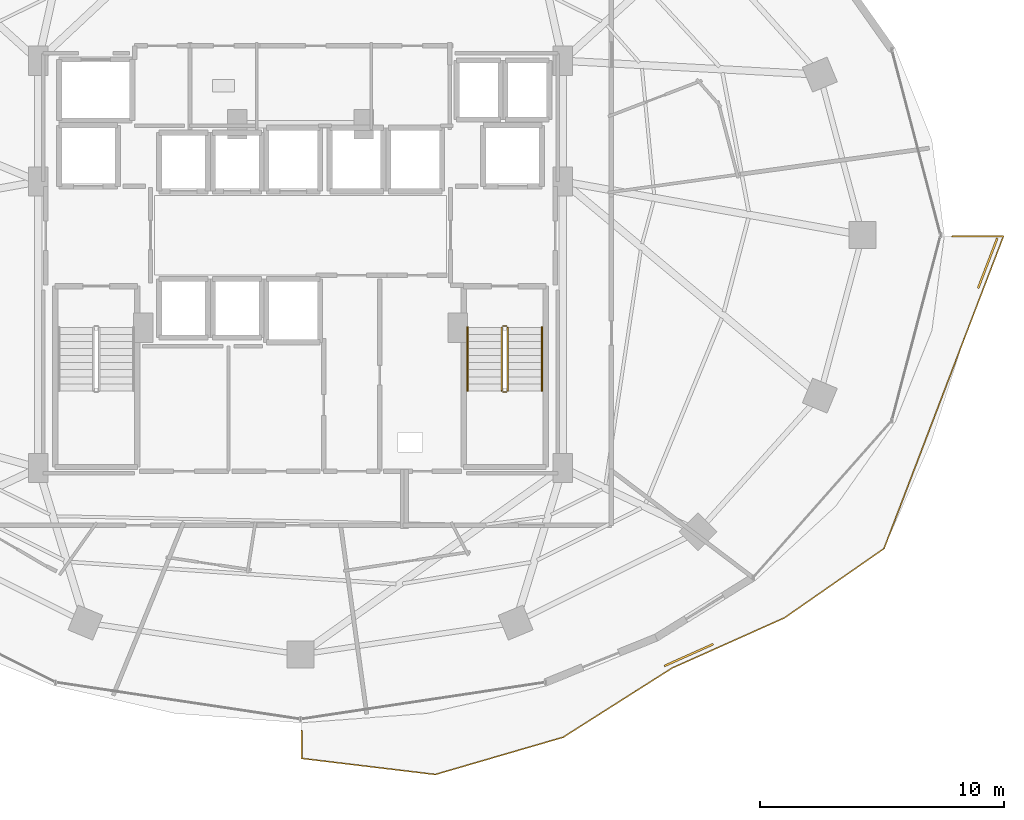
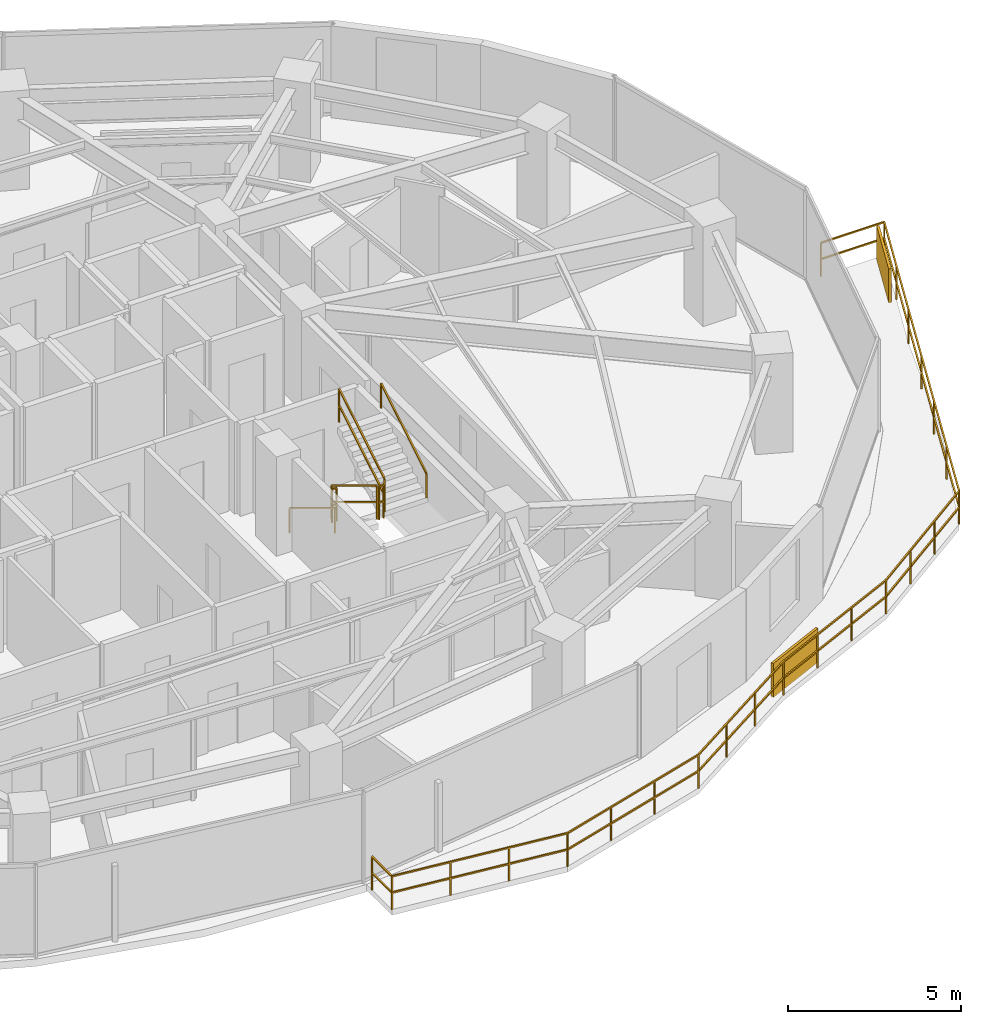
# One storey, part 28 of 30: 8 railings, 2 shading devices.
"""IFC4 building model written with IfcOpenShell, lengths in metres."""

from ifc_helpers import new_model, si_unit, direction, frame, origin, origin_2d, place, context, subcontext, project, spatial, rectangle, extrude, material, type_object, element, save


model = new_model("IFC4")

# Units and contexts
model_context = context("Model", 3, precision=1e-05, world=origin(), true_north=direction((0.0, 1.0)))
body_context = subcontext(model_context, "Body", "Model", "MODEL_VIEW")
ifc_project = project(units=[si_unit("LENGTHUNIT", "METRE"), si_unit("AREAUNIT", "SQUARE_METRE"), si_unit("VOLUMEUNIT", "CUBIC_METRE"), si_unit("PLANEANGLEUNIT", "RADIAN"), si_unit("MASSUNIT", "GRAM", prefix="KILO")], contexts=[model_context])

# Site, building, storey
site_placement = place(None, origin())
site = spatial("IfcSite", under=ifc_project, at=site_placement, CompositionType="ELEMENT")
building_placement = place(site_placement, origin())
building = spatial("IfcBuilding", under=site, at=building_placement, Name="Vorneva Point Tower", CompositionType="ELEMENT")
storey_placement = place(building_placement, frame((0.0, 0.0, 89.300048828125)))
storey = spatial("IfcBuildingStorey", under=building, at=storey_placement, Name="L23", CompositionType="ELEMENT", Elevation=89.300048828125)

# Railings
ifc_material_1 = material(Name="Pale anodised aluminium", Category="aluminium")
railing_type_1 = type_object("IfcRailingType", Name="RL-BAL-1200", PredefinedType="BALUSTRADE", material=ifc_material_1)
railing_1_placement = place(storey_placement, frame((65.2158203125, 21.750732421875, 0.0)))
element("IfcRailing", 1, at=railing_1_placement, inside=storey, type_object=railing_type_1, Name="L23 Wave Balcony Balustrade SE.1", PredefinedType="BALUSTRADE", context=body_context, shape_type="SweptSolid", body=[
    extrude(rectangle(XDim=0.048095703125, YDim=0.048095703125, at=origin_2d()), frame((0.0, 0.0, 1.17578125), z_axis=(0.357967565913, 0.933734020883, 0.0), x_axis=(-0.933734020883, 0.357967565913, 0.0)), (0.0, 0.0, 1.0), 4.497314453125),
    extrude(rectangle(XDim=0.048095703125, YDim=0.048095703125, at=origin_2d()), frame((0.0, 0.0, 0.60009765625), z_axis=(0.357967565913, 0.933734020883, 0.0), x_axis=(-0.933734020883, 0.357967565913, 0.0)), (0.0, 0.0, 1.0), 4.497314453125),
    extrude(rectangle(XDim=0.048095703125, YDim=0.048095703125, at=origin_2d()), frame((1.60986328125, 4.19921875, 1.17578125), z_axis=(-1.0, 0.0, 0.0), x_axis=(0.0, -1.0, 0.0)), (0.0, 0.0, 1.0), 2.109375),
    extrude(rectangle(XDim=0.048095703125, YDim=0.048095703125, at=origin_2d()), frame((1.60986328125, 4.19921875, 0.60009765625), z_axis=(-1.0, 0.0, 0.0), x_axis=(0.0, -1.0, 0.0)), (0.0, 0.0, 1.0), 2.109375),
    extrude(rectangle(XDim=0.0419921875, YDim=0.0419921875, at=origin_2d()), origin(), (0.0, 0.0, 1.0), 1.15185546875),
    extrude(rectangle(XDim=0.0419921875, YDim=0.0419921875, at=origin_2d()), frame((0.804931640625, 2.099609375, 0.0)), (0.0, 0.0, 1.0), 1.15185546875),
    extrude(rectangle(XDim=0.0419921875, YDim=0.0419921875, at=origin_2d()), frame((1.60986328125, 4.19921875, 0.0)), (0.0, 0.0, 1.0), 1.15185546875),
    extrude(rectangle(XDim=0.0419921875, YDim=0.0419921875, at=origin_2d()), frame((-0.49951171875, 4.19921875, 0.0)), (0.0, 0.0, 1.0), 1.15185546875),
])
railing_2_placement = place(storey_placement, frame((38.050048828125, 5.682861328125, 0.0)))
element("IfcRailing", 2, at=railing_2_placement, inside=storey, type_object=railing_type_1, Name="L23 Wave Balcony Balustrade SE.2", PredefinedType="BALUSTRADE", context=body_context, shape_type="SweptSolid", body=[
    extrude(rectangle(XDim=0.048095703125, YDim=0.048095703125, at=origin_2d()), frame((0.0, 0.0, 1.17578125), z_axis=(0.0, -1.0, 0.0), x_axis=(1.0, 0.0, 0.0)), (0.0, 0.0, 1.0), 1.143798828125),
    extrude(rectangle(XDim=0.048095703125, YDim=0.048095703125, at=origin_2d()), frame((0.0, 0.0, 0.60009765625), z_axis=(0.0, -1.0, 0.0), x_axis=(1.0, 0.0, 0.0)), (0.0, 0.0, 1.0), 1.143798828125),
    extrude(rectangle(XDim=0.048095703125, YDim=0.048095703125, at=origin_2d()), frame((0.0, -1.143798828125, 1.17578125), z_axis=(0.992852318004, -0.119349380534, 0.0), x_axis=(0.119349380534, 0.992852318004, 0.0)), (0.0, 0.0, 1.0), 5.51708984375),
    extrude(rectangle(XDim=0.048095703125, YDim=0.048095703125, at=origin_2d()), frame((0.0, -1.143798828125, 0.60009765625), z_axis=(0.992852318004, -0.119349380534, 0.0), x_axis=(0.119349380534, 0.992852318004, 0.0)), (0.0, 0.0, 1.0), 5.51708984375),
    extrude(rectangle(XDim=0.048095703125, YDim=0.048095703125, at=origin_2d()), frame((5.4775390625, -1.80224609375, 1.17578125), z_axis=(0.960122174174, 0.279580776627, 0.0), x_axis=(-0.279580776627, 0.960122174174, 0.0)), (0.0, 0.0, 1.0), 5.456787109375),
    extrude(rectangle(XDim=0.048095703125, YDim=0.048095703125, at=origin_2d()), frame((5.4775390625, -1.80224609375, 0.60009765625), z_axis=(0.960122174174, 0.279580776627, 0.0), x_axis=(-0.279580776627, 0.960122174174, 0.0)), (0.0, 0.0, 1.0), 5.456787109375),
    extrude(rectangle(XDim=0.048095703125, YDim=0.048095703125, at=origin_2d()), frame((10.716796875, -0.276611328125, 1.17578125), z_axis=(0.844344261875, 0.535801052107, 0.0), x_axis=(-0.535801052107, 0.844344261875, 0.0)), (0.0, 0.0, 1.0), 5.295166015625),
    extrude(rectangle(XDim=0.048095703125, YDim=0.048095703125, at=origin_2d()), frame((10.716796875, -0.276611328125, 0.60009765625), z_axis=(0.844344261875, 0.535801052107, 0.0), x_axis=(-0.535801052107, 0.844344261875, 0.0)), (0.0, 0.0, 1.0), 5.295166015625),
    extrude(rectangle(XDim=0.048095703125, YDim=0.048095703125, at=origin_2d()), frame((15.187744140625, 2.560546875, 1.17578125), z_axis=(0.912903646088, 0.408175125355, 0.0), x_axis=(-0.408175125355, 0.912903646088, 0.0)), (0.0, 0.0, 1.0), 5.046875),
    extrude(rectangle(XDim=0.048095703125, YDim=0.048095703125, at=origin_2d()), frame((15.187744140625, 2.560546875, 0.60009765625), z_axis=(0.912903646088, 0.408175125355, 0.0), x_axis=(-0.408175125355, 0.912903646088, 0.0)), (0.0, 0.0, 1.0), 5.046875),
    extrude(rectangle(XDim=0.048095703125, YDim=0.048095703125, at=origin_2d()), frame((19.795166015625, 4.62060546875, 1.17578125), z_axis=(0.820822157704, 0.571183845554, 0.0), x_axis=(-0.571183845554, 0.820822157704, 0.0)), (0.0, 0.0, 1.0), 4.973876953125),
    extrude(rectangle(XDim=0.048095703125, YDim=0.048095703125, at=origin_2d()), frame((19.795166015625, 4.62060546875, 0.60009765625), z_axis=(0.820822157704, 0.571183845554, 0.0), x_axis=(-0.571183845554, 0.820822157704, 0.0)), (0.0, 0.0, 1.0), 4.973876953125),
    extrude(rectangle(XDim=0.048095703125, YDim=0.048095703125, at=origin_2d()), frame((23.8779296875, 7.461669921875, 1.17578125), z_axis=(0.356875652127, 0.934151898205, 0.0), x_axis=(-0.934151898205, 0.356875652127, 0.0)), (0.0, 0.0, 1.0), 9.212890625),
    extrude(rectangle(XDim=0.048095703125, YDim=0.048095703125, at=origin_2d()), frame((23.8779296875, 7.461669921875, 0.60009765625), z_axis=(0.356875652127, 0.934151898205, 0.0), x_axis=(-0.934151898205, 0.356875652127, 0.0)), (0.0, 0.0, 1.0), 9.212890625),
    extrude(rectangle(XDim=0.0419921875, YDim=0.0419921875, at=origin_2d()), origin(), (0.0, 0.0, 1.0), 1.15185546875),
    extrude(rectangle(XDim=0.0419921875, YDim=0.0419921875, at=origin_2d()), frame((0.0, -1.143798828125, 0.0)), (0.0, 0.0, 1.0), 1.15185546875),
    extrude(rectangle(XDim=0.0419921875, YDim=0.0419921875, at=origin_2d()), frame((1.825927734375, -1.36328125, 0.0)), (0.0, 0.0, 1.0), 1.15185546875),
    extrude(rectangle(XDim=0.0419921875, YDim=0.0419921875, at=origin_2d()), frame((3.651611328125, -1.582763671875, 0.0)), (0.0, 0.0, 1.0), 1.15185546875),
    extrude(rectangle(XDim=0.0419921875, YDim=0.0419921875, at=origin_2d()), frame((5.4775390625, -1.80224609375, 0.0)), (0.0, 0.0, 1.0), 1.15185546875),
    extrude(rectangle(XDim=0.0419921875, YDim=0.0419921875, at=origin_2d()), frame((7.223876953125, -1.293701171875, 0.0)), (0.0, 0.0, 1.0), 1.15185546875),
    extrude(rectangle(XDim=0.0419921875, YDim=0.0419921875, at=origin_2d()), frame((8.970458984375, -0.78515625, 0.0)), (0.0, 0.0, 1.0), 1.15185546875),
    extrude(rectangle(XDim=0.0419921875, YDim=0.0419921875, at=origin_2d()), frame((10.716796875, -0.276611328125, 0.0)), (0.0, 0.0, 1.0), 1.15185546875),
    extrude(rectangle(XDim=0.0419921875, YDim=0.0419921875, at=origin_2d()), frame((12.20703125, 0.669189453125, 0.0)), (0.0, 0.0, 1.0), 1.15185546875),
    extrude(rectangle(XDim=0.0419921875, YDim=0.0419921875, at=origin_2d()), frame((13.697509765625, 1.61474609375, 0.0)), (0.0, 0.0, 1.0), 1.15185546875),
    extrude(rectangle(XDim=0.0419921875, YDim=0.0419921875, at=origin_2d()), frame((15.187744140625, 2.560546875, 0.0)), (0.0, 0.0, 1.0), 1.15185546875),
    extrude(rectangle(XDim=0.0419921875, YDim=0.0419921875, at=origin_2d()), frame((16.7236328125, 3.247314453125, 0.0)), (0.0, 0.0, 1.0), 1.15185546875),
    extrude(rectangle(XDim=0.0419921875, YDim=0.0419921875, at=origin_2d()), frame((18.25927734375, 3.933837890625, 0.0)), (0.0, 0.0, 1.0), 1.15185546875),
    extrude(rectangle(XDim=0.0419921875, YDim=0.0419921875, at=origin_2d()), frame((19.795166015625, 4.62060546875, 0.0)), (0.0, 0.0, 1.0), 1.15185546875),
    extrude(rectangle(XDim=0.0419921875, YDim=0.0419921875, at=origin_2d()), frame((21.156005859375, 5.567626953125, 0.0)), (0.0, 0.0, 1.0), 1.15185546875),
    extrude(rectangle(XDim=0.0419921875, YDim=0.0419921875, at=origin_2d()), frame((22.51708984375, 6.5146484375, 0.0)), (0.0, 0.0, 1.0), 1.15185546875),
    extrude(rectangle(XDim=0.0419921875, YDim=0.0419921875, at=origin_2d()), frame((23.8779296875, 7.461669921875, 0.0)), (0.0, 0.0, 1.0), 1.15185546875),
    extrude(rectangle(XDim=0.0419921875, YDim=0.0419921875, at=origin_2d()), frame((24.699951171875, 9.61328125, 0.0)), (0.0, 0.0, 1.0), 1.15185546875),
    extrude(rectangle(XDim=0.0419921875, YDim=0.0419921875, at=origin_2d()), frame((25.52197265625, 11.7646484375, 0.0)), (0.0, 0.0, 1.0), 1.15185546875),
    extrude(rectangle(XDim=0.0419921875, YDim=0.0419921875, at=origin_2d()), frame((26.34375, 13.916259765625, 0.0)), (0.0, 0.0, 1.0), 1.15185546875),
    extrude(rectangle(XDim=0.0419921875, YDim=0.0419921875, at=origin_2d()), frame((27.165771484375, 16.06787109375, 0.0)), (0.0, 0.0, 1.0), 1.15185546875),
])
ifc_material_2 = material(Name="Brushed stainless steel S304", Category="steel")
railing_type_2 = type_object("IfcRailingType", Name="RL-HND-920", PredefinedType="HANDRAIL", material=ifc_material_2)
railing_3_placement = place(storey_placement, frame((44.85009765625, 22.219970703125, 0.175048828125)))
element("IfcRailing", 3, at=railing_3_placement, inside=storey, type_object=railing_type_2, Name="L23 ST2 stair handrail 1", PredefinedType="HANDRAIL", context=body_context, shape_type="SweptSolid", body=[
    extrude(rectangle(XDim=0.048095703125, YDim=0.048095703125, at=origin_2d()), frame((0.0, 0.0, 0.8759765625), z_axis=(0.0, -0.85618277418, 0.516673066065), x_axis=(1.0, 0.0, 0.0)), (0.0, 0.0, 1.0), 3.04833984375),
    extrude(rectangle(XDim=0.0419921875, YDim=0.0419921875, at=origin_2d()), origin(), (0.0, 0.0, 1.0), 0.851806640625),
    extrude(rectangle(XDim=0.0419921875, YDim=0.0419921875, at=origin_2d()), frame((0.0, -2.60986328125, 1.574951171875)), (0.0, 0.0, 1.0), 0.851806640625),
])
railing_4_placement = place(storey_placement, frame((47.89990234375, 19.610107421875, 1.925048828125)))
element("IfcRailing", 4, at=railing_4_placement, inside=storey, type_object=railing_type_2, Name="L23 ST2 stair handrail 2", PredefinedType="HANDRAIL", context=body_context, shape_type="SweptSolid", body=[
    extrude(rectangle(XDim=0.048095703125, YDim=0.048095703125, at=origin_2d()), frame((0.0, 0.0, 0.8759765625), z_axis=(0.0, 0.85618277418, 0.516673066065), x_axis=(-1.0, 0.0, 0.0)), (0.0, 0.0, 1.0), 3.04833984375),
    extrude(rectangle(XDim=0.0419921875, YDim=0.0419921875, at=origin_2d()), origin(), (0.0, 0.0, 1.0), 0.851806640625),
    extrude(rectangle(XDim=0.0419921875, YDim=0.0419921875, at=origin_2d()), frame((0.0, 2.60986328125, 1.574951171875)), (0.0, 0.0, 1.0), 0.851806640625),
])
railing_type_3 = type_object("IfcRailingType", Name="RL-STG-1100", PredefinedType="GUARDRAIL", material=ifc_material_2)
railing_5_placement = place(storey_placement, frame((46.25, 22.219970703125, 0.175048828125)))
element("IfcRailing", 5, at=railing_5_placement, inside=storey, type_object=railing_type_3, Name="L23 ST2 stair guard 1", PredefinedType="GUARDRAIL", context=body_context, shape_type="SweptSolid", body=[
    extrude(rectangle(XDim=0.048095703125, YDim=0.048095703125, at=origin_2d()), frame((0.0, 0.0, 1.17578125), z_axis=(0.0, -0.85618277418, 0.516673066065), x_axis=(1.0, 0.0, 0.0)), (0.0, 0.0, 1.0), 3.04833984375),
    extrude(rectangle(XDim=0.048095703125, YDim=0.048095703125, at=origin_2d()), frame((0.0, 0.0, 0.60009765625), z_axis=(0.0, -0.85618277418, 0.516673066065), x_axis=(1.0, 0.0, 0.0)), (0.0, 0.0, 1.0), 3.04833984375),
    extrude(rectangle(XDim=0.0419921875, YDim=0.0419921875, at=origin_2d()), origin(), (0.0, 0.0, 1.0), 1.15185546875),
    extrude(rectangle(XDim=0.0419921875, YDim=0.0419921875, at=origin_2d()), frame((0.0, -2.60986328125, 1.574951171875)), (0.0, 0.0, 1.0), 1.15185546875),
])
railing_6_placement = place(storey_placement, frame((46.300048828125, 19.56005859375, 1.75)))
element("IfcRailing", 6, at=railing_6_placement, inside=storey, type_object=railing_type_3, Name="L23 ST2 stair guard 2", PredefinedType="GUARDRAIL", context=body_context, shape_type="SweptSolid", body=[
    extrude(rectangle(XDim=0.048095703125, YDim=0.048095703125, at=origin_2d()), frame((0.0, 0.0, 1.17578125), z_axis=(1.0, 0.0, 0.0), x_axis=(0.0, 1.0, 0.0)), (0.0, 0.0, 1.0), 0.14990234375),
    extrude(rectangle(XDim=0.048095703125, YDim=0.048095703125, at=origin_2d()), frame((0.0, 0.0, 0.60009765625), z_axis=(1.0, 0.0, 0.0), x_axis=(0.0, 1.0, 0.0)), (0.0, 0.0, 1.0), 0.14990234375),
    extrude(rectangle(XDim=0.0419921875, YDim=0.0419921875, at=origin_2d()), origin(), (0.0, 0.0, 1.0), 1.15185546875),
    extrude(rectangle(XDim=0.0419921875, YDim=0.0419921875, at=origin_2d()), frame((0.14990234375, 0.0, 0.0)), (0.0, 0.0, 1.0), 1.15185546875),
])
railing_7_placement = place(storey_placement, frame((46.5, 19.610107421875, 1.925048828125)))
element("IfcRailing", 7, at=railing_7_placement, inside=storey, type_object=railing_type_3, Name="L23 ST2 stair guard 3", PredefinedType="GUARDRAIL", context=body_context, shape_type="SweptSolid", body=[
    extrude(rectangle(XDim=0.048095703125, YDim=0.048095703125, at=origin_2d()), frame((0.0, 0.0, 1.17578125), z_axis=(0.0, 0.85618277418, 0.516673066065), x_axis=(-1.0, 0.0, 0.0)), (0.0, 0.0, 1.0), 3.04833984375),
    extrude(rectangle(XDim=0.048095703125, YDim=0.048095703125, at=origin_2d()), frame((0.0, 0.0, 0.60009765625), z_axis=(0.0, 0.85618277418, 0.516673066065), x_axis=(-1.0, 0.0, 0.0)), (0.0, 0.0, 1.0), 3.04833984375),
    extrude(rectangle(XDim=0.0419921875, YDim=0.0419921875, at=origin_2d()), origin(), (0.0, 0.0, 1.0), 1.15185546875),
    extrude(rectangle(XDim=0.0419921875, YDim=0.0419921875, at=origin_2d()), frame((0.0, 2.60986328125, 1.574951171875)), (0.0, 0.0, 1.0), 1.15185546875),
])
railing_8_placement = place(storey_placement, frame((46.300048828125, 22.27001953125, 0.0)))
element("IfcRailing", 8, at=railing_8_placement, inside=storey, type_object=railing_type_3, Name="L23 ST2 stair guard 4", PredefinedType="GUARDRAIL", context=body_context, shape_type="SweptSolid", body=[
    extrude(rectangle(XDim=0.048095703125, YDim=0.048095703125, at=origin_2d()), frame((0.0, 0.0, 1.17578125), z_axis=(1.0, 0.0, 0.0), x_axis=(0.0, 1.0, 0.0)), (0.0, 0.0, 1.0), 0.14990234375),
    extrude(rectangle(XDim=0.048095703125, YDim=0.048095703125, at=origin_2d()), frame((0.0, 0.0, 0.60009765625), z_axis=(1.0, 0.0, 0.0), x_axis=(0.0, 1.0, 0.0)), (0.0, 0.0, 1.0), 0.14990234375),
    extrude(rectangle(XDim=0.0419921875, YDim=0.0419921875, at=origin_2d()), origin(), (0.0, 0.0, 1.0), 1.15185546875),
    extrude(rectangle(XDim=0.0419921875, YDim=0.0419921875, at=origin_2d()), frame((0.14990234375, 0.0, 0.0)), (0.0, 0.0, 1.0), 1.15185546875),
])

# Shading devices
shading_device_type = type_object("IfcShadingDeviceType", Name="SHD-JAL-1200", PredefinedType="JALOUSIE", material=ifc_material_1)
for number, where, z_axis, x_axis, name in (
    (9, (66.1787109375, 24.84423828125, -0.02001953125), (0.0, 0.0, 1.0), (0.357976860863, 0.933730457406, 0.0), "L23 Balcony Vertical-Greenery Planter Screen SE.1"),
    (10, (53.92529296875, 8.779296875, -0.02001953125), (0.0, 0.0, 1.0), (0.91289830637, 0.408187067687, 0.0), "L23 Balcony Vertical-Greenery Planter Screen SE.2"),
):
    element("IfcShadingDevice", number, at=place(storey_placement, frame(where, z_axis=z_axis, x_axis=x_axis)), inside=storey, type_object=shading_device_type, Name=name, PredefinedType="JALOUSIE", context=body_context, shape_type="SweptSolid", body=[
        extrude(rectangle(XDim=2.199951171875, YDim=0.080078125, at=origin_2d()), origin(), (0.0, 0.0, 1.0), 1.199951171875),
    ])

save(model, "model.ifc")
